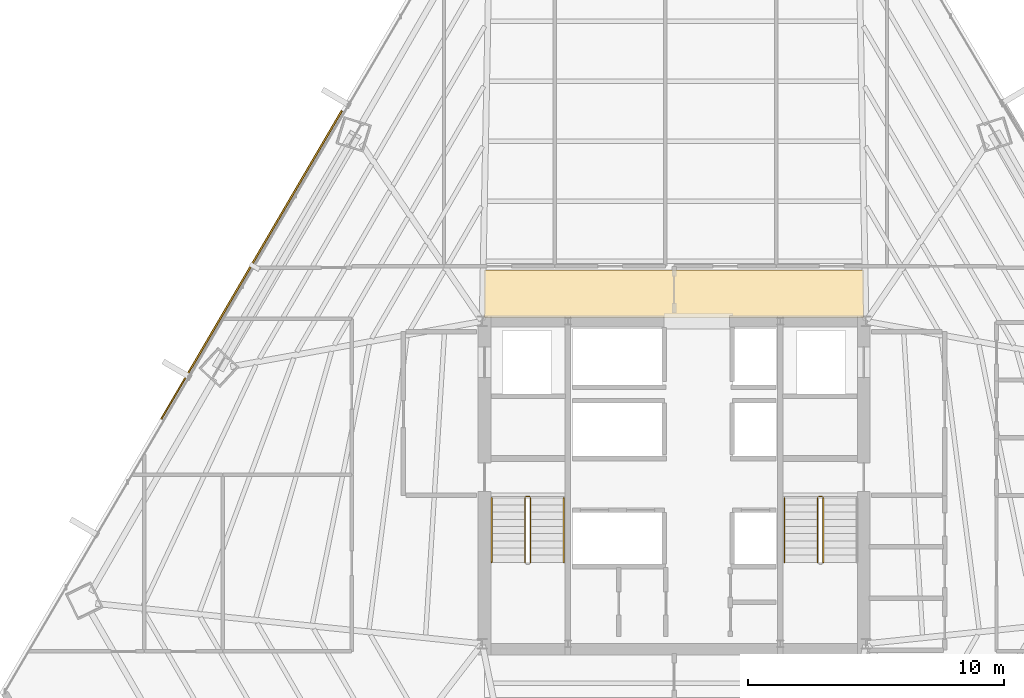
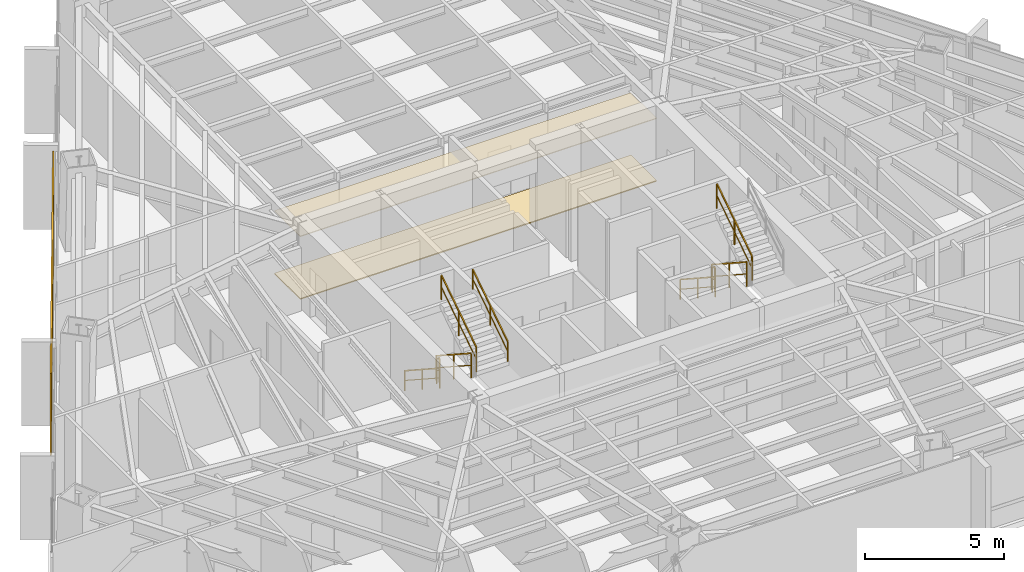
# One storey, part 35 of 36: 9 railings, 2 coverings, 1 shading device.
"""IFC4 building model written with IfcOpenShell, lengths in metres."""

from ifc_helpers import new_model, si_unit, direction, frame, origin, origin_2d, place, context, subcontext, project, spatial, polyline, rectangle, outline, extrude, source, transform, mapped, material, layer, layer_set, type_object, type_shapes, element, save


model = new_model("IFC4")

# Units and contexts
model_context = context("Model", 3, precision=1e-05, world=origin(), true_north=direction((0.0, 1.0)))
body_context = subcontext(model_context, "Body", "Model", "MODEL_VIEW")
ifc_project = project(units=[si_unit("LENGTHUNIT", "METRE"), si_unit("AREAUNIT", "SQUARE_METRE"), si_unit("VOLUMEUNIT", "CUBIC_METRE"), si_unit("PLANEANGLEUNIT", "RADIAN"), si_unit("MASSUNIT", "GRAM", prefix="KILO")], contexts=[model_context])

# Site, building, storey
site_placement = place(None, origin())
site = spatial("IfcSite", under=ifc_project, at=site_placement, CompositionType="ELEMENT")
building_placement = place(site_placement, origin())
building = spatial("IfcBuilding", under=site, at=building_placement, Name="Caelisora Broadcast Tower", CompositionType="ELEMENT")
storey_placement = place(building_placement, frame((0.0, 0.0, 112.699951171875)))
storey = spatial("IfcBuildingStorey", under=building, at=storey_placement, Name="L29", CompositionType="ELEMENT", Elevation=112.699951171875)

# Coverings
ifc_material_1 = material(Name="Perforated Mineral-Fibre Acoustic Ceiling Tile", Category="gypsum")
ifc_layer_1 = layer(ifc_material_1, 0.034912109375, Name="Perforated Mineral-Fibre Acoustic Ceiling Tile")
ifc_layer_set_1 = layer_set([ifc_layer_1], Name="Perforated Mineral-Fibre Acoustic Ceiling Tile")
covering_type_1 = type_object("IfcCoveringType", Name="CE-1", PredefinedType="CEILING", material=ifc_layer_set_1)
covering_1_placement = place(storey_placement, frame((0.0, 0.0, 2.75)))
element("IfcCovering", 1, at=covering_1_placement, inside=storey, type_object=covering_type_1, Name="L29 acoustic corridor ceiling CE-1 (N)", PredefinedType="CEILING", context=body_context, shape_type="SweptSolid", body=[
    extrude(outline(polyline([(30.60009765625, 30.14990234375), (45.39990234375, 30.14990234375), (45.39990234375, 32.0), (30.60009765625, 32.0), (30.60009765625, 30.14990234375)])), origin(), (0.0, 0.0, 1.0), 0.03515625),
])
ifc_material_2 = material(Name="Anti-Static Broadcast Raised Access Floor Panel", Category="steel")
ifc_layer_2 = layer(ifc_material_2, 0.044921875, Name="Anti-Static Broadcast Raised Access Floor Panel")
ifc_layer_set_2 = layer_set([ifc_layer_2], Name="Anti-Static Broadcast Raised Access Floor Panel")
covering_type_2 = type_object("IfcCoveringType", Name="FL-1", PredefinedType="FLOORING", material=ifc_layer_set_2)
covering_2_placement = place(storey_placement, origin())
element("IfcCovering", 2, at=covering_2_placement, inside=storey, type_object=covering_type_2, Name="L29 broadcast raised access floor FL-1 (N)", PredefinedType="FLOORING", context=body_context, shape_type="SweptSolid", body=[
    extrude(outline(polyline([(30.60009765625, 30.14990234375), (45.39990234375, 30.14990234375), (45.39990234375, 32.0), (30.60009765625, 32.0), (30.60009765625, 30.14990234375)])), origin(), (0.0, 0.0, 1.0), 0.045166015625),
])

# Railings
ifc_material_3 = material(Name="Galvanised Steel Safety Guardrail", Category="steel")
ifc_layer_3 = layer(ifc_material_3, 0.048095703125, Name="Galvanised Steel Safety Guardrail")
ifc_layer_set_3 = layer_set([ifc_layer_3], Name="Galvanised Steel Safety Guardrail")
railing_type_1 = type_object("IfcRailingType", Name="GR-1", PredefinedType="GUARDRAIL", material=ifc_layer_set_3)
railing_1_placement = place(storey_placement, frame((32.169921875, 23.10009765625, 0.1826171875)))
element("IfcRailing", 3, at=railing_1_placement, inside=storey, type_object=railing_type_1, Name="L29 ST-1 stair guard 1", PredefinedType="GUARDRAIL", context=body_context, shape_type="SweptSolid", body=[
    extrude(rectangle(XDim=0.048095703125, YDim=0.048095703125, at=origin_2d()), frame((0.0, 0.0, 1.076171875), z_axis=(0.0, -0.837786554691, 0.545997883492), x_axis=(1.0, 0.0, 0.0)), (0.0, 0.0, 1.0), 3.008056640625),
    extrude(rectangle(XDim=0.03125, YDim=0.03125, at=origin_2d()), frame((0.0, 0.0, 0.550048828125), z_axis=(0.0, -0.837786554691, 0.545997883492), x_axis=(1.0, 0.0, 0.0)), (0.0, 0.0, 1.0), 3.008056640625),
    extrude(rectangle(XDim=0.0419921875, YDim=0.0419921875, at=origin_2d()), origin(), (0.0, 0.0, 1.0), 1.052001953125),
    extrude(rectangle(XDim=0.0419921875, YDim=0.0419921875, at=origin_2d()), frame((0.0, -1.260009765625, 0.8212890625)), (0.0, 0.0, 1.0), 1.052001953125),
    extrude(rectangle(XDim=0.0419921875, YDim=0.0419921875, at=origin_2d()), frame((0.0, -2.52001953125, 1.642333984375)), (0.0, 0.0, 1.0), 1.052001953125),
])
railing_2_placement = place(storey_placement, frame((32.389892578125, 20.580078125, 2.007568359375)))
element("IfcRailing", 4, at=railing_2_placement, inside=storey, type_object=railing_type_1, Name="L29 ST-1 stair guard 3", PredefinedType="GUARDRAIL", context=body_context, shape_type="SweptSolid", body=[
    extrude(rectangle(XDim=0.048095703125, YDim=0.048095703125, at=origin_2d()), frame((0.0, 0.0, 1.076171875), z_axis=(0.0, 0.837749427056, 0.546054848405), x_axis=(-1.0, 0.0, 0.0)), (0.0, 0.0, 1.0), 3.008056640625),
    extrude(rectangle(XDim=0.03125, YDim=0.03125, at=origin_2d()), frame((0.0, 0.0, 0.550048828125), z_axis=(0.0, 0.837749427056, 0.546054848405), x_axis=(-1.0, 0.0, 0.0)), (0.0, 0.0, 1.0), 3.008056640625),
    extrude(rectangle(XDim=0.0419921875, YDim=0.0419921875, at=origin_2d()), origin(), (0.0, 0.0, 1.0), 1.052001953125),
    extrude(rectangle(XDim=0.0419921875, YDim=0.0419921875, at=origin_2d()), frame((0.0, 1.260009765625, 0.8212890625)), (0.0, 0.0, 1.0), 1.052001953125),
    extrude(rectangle(XDim=0.0419921875, YDim=0.0419921875, at=origin_2d()), frame((0.0, 2.52001953125, 1.642578125)), (0.0, 0.0, 1.0), 1.052001953125),
])
railing_3_placement = place(storey_placement, frame((32.219970703125, 23.14990234375, 0.0)))
element("IfcRailing", 5, at=railing_3_placement, inside=storey, type_object=railing_type_1, Name="L29 ST-1 stair guard 4", PredefinedType="GUARDRAIL", context=body_context, shape_type="SweptSolid", body=[
    extrude(rectangle(XDim=0.048095703125, YDim=0.048095703125, at=origin_2d()), frame((0.0, 0.0, 1.076171875), z_axis=(1.0, 0.0, 0.0), x_axis=(0.0, 1.0, 0.0)), (0.0, 0.0, 1.0), 0.1201171875),
    extrude(rectangle(XDim=0.03125, YDim=0.03125, at=origin_2d()), frame((0.0, 0.0, 0.550048828125), z_axis=(1.0, 0.0, 0.0), x_axis=(0.0, 1.0, 0.0)), (0.0, 0.0, 1.0), 0.1201171875),
    extrude(rectangle(XDim=0.0419921875, YDim=0.0419921875, at=origin_2d()), origin(), (0.0, 0.0, 1.0), 1.052001953125),
    extrude(rectangle(XDim=0.0419921875, YDim=0.0419921875, at=origin_2d()), frame((0.1201171875, 0.0, 0.0)), (0.0, 0.0, 1.0), 1.052001953125),
])
railing_4_placement = place(storey_placement, frame((43.610107421875, 23.10009765625, 0.1826171875)))
element("IfcRailing", 6, at=railing_4_placement, inside=storey, type_object=railing_type_1, Name="L29 ST-2 stair guard 1", PredefinedType="GUARDRAIL", context=body_context, shape_type="SweptSolid", body=[
    extrude(rectangle(XDim=0.048095703125, YDim=0.048095703125, at=origin_2d()), frame((0.0, 0.0, 1.076171875), z_axis=(0.0, -0.837786554691, 0.545997883492), x_axis=(1.0, 0.0, 0.0)), (0.0, 0.0, 1.0), 3.008056640625),
    extrude(rectangle(XDim=0.03125, YDim=0.03125, at=origin_2d()), frame((0.0, 0.0, 0.550048828125), z_axis=(0.0, -0.837786554691, 0.545997883492), x_axis=(1.0, 0.0, 0.0)), (0.0, 0.0, 1.0), 3.008056640625),
    extrude(rectangle(XDim=0.0419921875, YDim=0.0419921875, at=origin_2d()), origin(), (0.0, 0.0, 1.0), 1.052001953125),
    extrude(rectangle(XDim=0.0419921875, YDim=0.0419921875, at=origin_2d()), frame((0.0, -1.260009765625, 0.8212890625)), (0.0, 0.0, 1.0), 1.052001953125),
    extrude(rectangle(XDim=0.0419921875, YDim=0.0419921875, at=origin_2d()), frame((0.0, -2.52001953125, 1.642333984375)), (0.0, 0.0, 1.0), 1.052001953125),
])
railing_5_placement = place(storey_placement, frame((43.830078125, 20.580078125, 2.007568359375)))
element("IfcRailing", 7, at=railing_5_placement, inside=storey, type_object=railing_type_1, Name="L29 ST-2 stair guard 3", PredefinedType="GUARDRAIL", context=body_context, shape_type="SweptSolid", body=[
    extrude(rectangle(XDim=0.048095703125, YDim=0.048095703125, at=origin_2d()), frame((0.0, 0.0, 1.076171875), z_axis=(0.0, 0.837749427056, 0.546054848405), x_axis=(-1.0, 0.0, 0.0)), (0.0, 0.0, 1.0), 3.008056640625),
    extrude(rectangle(XDim=0.03125, YDim=0.03125, at=origin_2d()), frame((0.0, 0.0, 0.550048828125), z_axis=(0.0, 0.837749427056, 0.546054848405), x_axis=(-1.0, 0.0, 0.0)), (0.0, 0.0, 1.0), 3.008056640625),
    extrude(rectangle(XDim=0.0419921875, YDim=0.0419921875, at=origin_2d()), origin(), (0.0, 0.0, 1.0), 1.052001953125),
    extrude(rectangle(XDim=0.0419921875, YDim=0.0419921875, at=origin_2d()), frame((0.0, 1.260009765625, 0.8212890625)), (0.0, 0.0, 1.0), 1.052001953125),
    extrude(rectangle(XDim=0.0419921875, YDim=0.0419921875, at=origin_2d()), frame((0.0, 2.52001953125, 1.642578125)), (0.0, 0.0, 1.0), 1.052001953125),
])
railing_6_placement = place(storey_placement, frame((43.659912109375, 23.14990234375, 0.0)))
element("IfcRailing", 8, at=railing_6_placement, inside=storey, type_object=railing_type_1, Name="L29 ST-2 stair guard 4", PredefinedType="GUARDRAIL", context=body_context, shape_type="SweptSolid", body=[
    extrude(rectangle(XDim=0.048095703125, YDim=0.048095703125, at=origin_2d()), frame((0.0, 0.0, 1.076171875), z_axis=(1.0, 0.0, 0.0), x_axis=(0.0, 1.0, 0.0)), (0.0, 0.0, 1.0), 0.1201171875),
    extrude(rectangle(XDim=0.03125, YDim=0.03125, at=origin_2d()), frame((0.0, 0.0, 0.550048828125), z_axis=(1.0, 0.0, 0.0), x_axis=(0.0, 1.0, 0.0)), (0.0, 0.0, 1.0), 0.1201171875),
    extrude(rectangle(XDim=0.0419921875, YDim=0.0419921875, at=origin_2d()), origin(), (0.0, 0.0, 1.0), 1.052001953125),
    extrude(rectangle(XDim=0.0419921875, YDim=0.0419921875, at=origin_2d()), frame((0.1201171875, 0.0, 0.0)), (0.0, 0.0, 1.0), 1.052001953125),
])
ifc_material_4 = material(Name="Stainless Steel Grade 316 Tubular Handrail", Category="steel")
ifc_layer_4 = layer(ifc_material_4, 0.048095703125, Name="Stainless Steel Grade 316 Tubular Handrail")
ifc_layer_set_4 = layer_set([ifc_layer_4], Name="Stainless Steel Grade 316 Tubular Handrail")
railing_type_2 = type_object("IfcRailingType", Name="HR-1", PredefinedType="HANDRAIL", material=ifc_layer_set_4)
railing_7_placement = place(storey_placement, frame((30.8701171875, 23.10009765625, 0.1826171875)))
element("IfcRailing", 9, at=railing_7_placement, inside=storey, type_object=railing_type_2, Name="L29 ST-1 stair handrail 1", PredefinedType="HANDRAIL", context=body_context, shape_type="SweptSolid", body=[
    extrude(rectangle(XDim=0.048095703125, YDim=0.048095703125, at=origin_2d()), frame((0.0, 0.0, 0.8759765625), z_axis=(0.0, -0.837786554691, 0.545997883492), x_axis=(1.0, 0.0, 0.0)), (0.0, 0.0, 1.0), 3.008056640625),
    extrude(rectangle(XDim=0.03125, YDim=0.03125, at=origin_2d()), frame((0.0, 0.0, 0.449951171875), z_axis=(0.0, -0.837786554691, 0.545997883492), x_axis=(1.0, 0.0, 0.0)), (0.0, 0.0, 1.0), 3.008056640625),
    extrude(rectangle(XDim=0.0419921875, YDim=0.0419921875, at=origin_2d()), origin(), (0.0, 0.0, 1.0), 0.851806640625),
    extrude(rectangle(XDim=0.0419921875, YDim=0.0419921875, at=origin_2d()), frame((0.0, -1.260009765625, 0.8212890625)), (0.0, 0.0, 1.0), 0.851806640625),
    extrude(rectangle(XDim=0.0419921875, YDim=0.0419921875, at=origin_2d()), frame((0.0, -2.52001953125, 1.642333984375)), (0.0, 0.0, 1.0), 0.851806640625),
])
railing_8_placement = place(storey_placement, frame((33.68994140625, 20.580078125, 2.007568359375)))
element("IfcRailing", 10, at=railing_8_placement, inside=storey, type_object=railing_type_2, Name="L29 ST-1 stair handrail 2", PredefinedType="HANDRAIL", context=body_context, shape_type="SweptSolid", body=[
    extrude(rectangle(XDim=0.048095703125, YDim=0.048095703125, at=origin_2d()), frame((0.0, 0.0, 0.8759765625), z_axis=(0.0, 0.837749427056, 0.546054848405), x_axis=(-1.0, 0.0, 0.0)), (0.0, 0.0, 1.0), 3.008056640625),
    extrude(rectangle(XDim=0.03125, YDim=0.03125, at=origin_2d()), frame((0.0, 0.0, 0.449951171875), z_axis=(0.0, 0.837749427056, 0.546054848405), x_axis=(-1.0, 0.0, 0.0)), (0.0, 0.0, 1.0), 3.008056640625),
    extrude(rectangle(XDim=0.0419921875, YDim=0.0419921875, at=origin_2d()), origin(), (0.0, 0.0, 1.0), 0.851806640625),
    extrude(rectangle(XDim=0.0419921875, YDim=0.0419921875, at=origin_2d()), frame((0.0, 1.260009765625, 0.8212890625)), (0.0, 0.0, 1.0), 0.851806640625),
    extrude(rectangle(XDim=0.0419921875, YDim=0.0419921875, at=origin_2d()), frame((0.0, 2.52001953125, 1.642578125)), (0.0, 0.0, 1.0), 0.851806640625),
])
railing_9_placement = place(storey_placement, frame((42.31005859375, 23.10009765625, 0.1826171875)))
element("IfcRailing", 11, at=railing_9_placement, inside=storey, type_object=railing_type_2, Name="L29 ST-2 stair handrail 1", PredefinedType="HANDRAIL", context=body_context, shape_type="SweptSolid", body=[
    extrude(rectangle(XDim=0.048095703125, YDim=0.048095703125, at=origin_2d()), frame((0.0, 0.0, 0.8759765625), z_axis=(0.0, -0.837786554691, 0.545997883492), x_axis=(1.0, 0.0, 0.0)), (0.0, 0.0, 1.0), 3.008056640625),
    extrude(rectangle(XDim=0.03125, YDim=0.03125, at=origin_2d()), frame((0.0, 0.0, 0.449951171875), z_axis=(0.0, -0.837786554691, 0.545997883492), x_axis=(1.0, 0.0, 0.0)), (0.0, 0.0, 1.0), 3.008056640625),
    extrude(rectangle(XDim=0.0419921875, YDim=0.0419921875, at=origin_2d()), origin(), (0.0, 0.0, 1.0), 0.851806640625),
    extrude(rectangle(XDim=0.0419921875, YDim=0.0419921875, at=origin_2d()), frame((0.0, -1.260009765625, 0.8212890625)), (0.0, 0.0, 1.0), 0.851806640625),
    extrude(rectangle(XDim=0.0419921875, YDim=0.0419921875, at=origin_2d()), frame((0.0, -2.52001953125, 1.642333984375)), (0.0, 0.0, 1.0), 0.851806640625),
])

# Shading device
ifc_material_5 = material(Name="Perforated Glazed Terracotta Baguette Solar Screen", Category="ceramic")
ifc_layer_5 = layer(ifc_material_5, 0.06494140625, Name="Perforated Glazed Terracotta Baguette Solar Screen")
ifc_layer_set_5 = layer_set([ifc_layer_5], Name="Perforated Glazed Terracotta Baguette Solar Screen")
shading_device_type = type_object("IfcShadingDeviceType", Name="SS-1", PredefinedType="USERDEFINED", material=ifc_layer_set_5)
shared_shape = source(origin(), body_context, "Body", "SweptSolid", [
    extrude(rectangle(XDim=13.95703125, YDim=0.06494140625, at=origin_2d()), origin(), (0.0, 0.0, 1.0), 3.590087890625),
])
type_shapes(shading_device_type, [shared_shape])
shading_device_placement = place(storey_placement, frame((21.486572265625, 32.203369140625, 0.0), z_axis=(0.0, 0.0, 1.0), x_axis=(-0.505582083675, -0.862778509623, 0.0)))
element("IfcShadingDevice", 12, at=shading_device_placement, inside=storey, type_object=shading_device_type, Name="L29 perforated terracotta solar screen #1", ObjectType="SOLAR SCREEN", PredefinedType="USERDEFINED", context=body_context, shape_type="MappedRepresentation", body=[
    mapped(shared_shape, transform((0.0, 0.0, 0.0), scale=1.0)),
])

save(model, "model.ifc")
